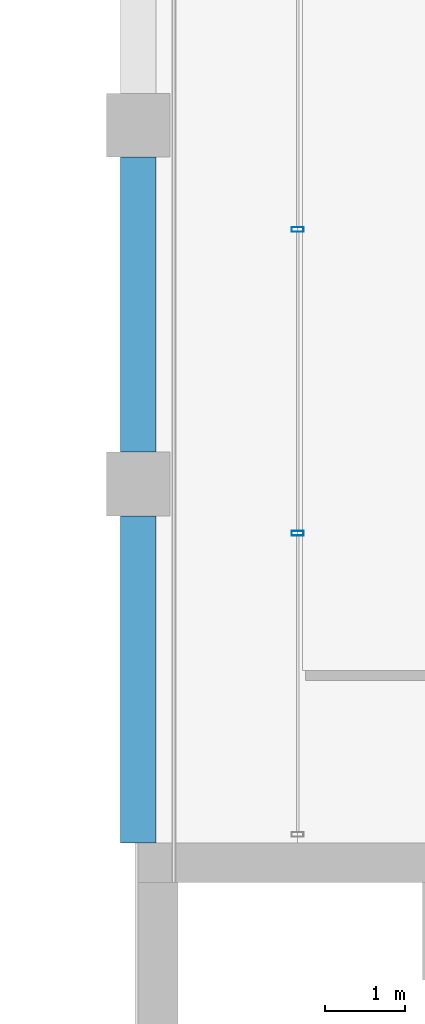
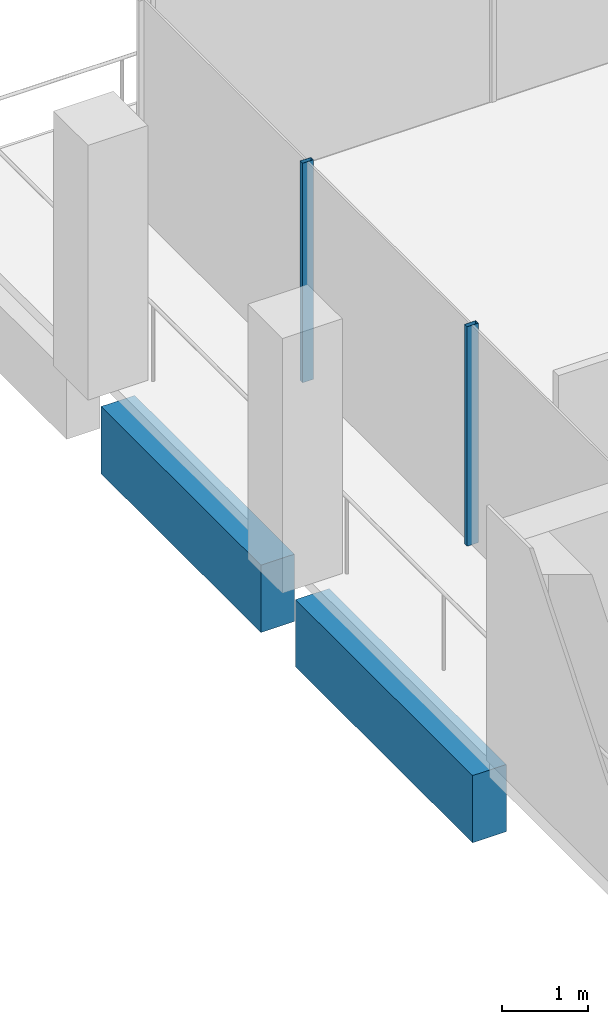
# One storey, part 20 of 30: 2 beams, 2 members, 1 element without a shape of its own.
"""IFC4 building model written with IfcOpenShell, lengths in metres."""

import ifcopenshell
import ifcopenshell.guid

model = None  # the IFC model being written
_history = None  # IfcOwnerHistory: only IFC2X3 demands one
_inside = {}  # id of a spatial element -> (the spatial element, [elements in it])
_under = {}  # id of a project, library or spatial element -> (it, [spatial elements below it])
_declared = {}  # id of a project -> (the project, [libraries it declares])
_typed = {}  # id of a type object -> (the type object, [elements of that type])
_made_of = {}  # id of a material, layer set ... -> (it, [elements and type objects made of it])


def new_model(schema):
    """Start an empty IFC model of exactly this schema.

    Asked for "IFC4X3", IfcOpenShell would pick the latest addendum, in which some entities
    have other attributes; the version numbers below select the first issue.
    IFC2X3 requires an IfcOwnerHistory on every rooted entity: one is made here for all.
    """
    global model, _history
    if schema == "IFC4X3":
        model = ifcopenshell.file(schema_version=(4, 3, 0, 0))
    else:
        model = ifcopenshell.file(schema=schema)
    _inside.clear()
    _under.clear()
    _declared.clear()
    _typed.clear()
    _made_of.clear()
    _history = None
    if model.schema == "IFC2X3":
        org = make("IfcOrganization", Name="unknown")
        user = make(
            "IfcPersonAndOrganization",
            ThePerson=make("IfcPerson", FamilyName="unknown"),
            TheOrganization=org,
        )
        app = make(
            "IfcApplication",
            ApplicationDeveloper=org,
            Version="unknown",
            ApplicationFullName="unknown",
            ApplicationIdentifier="unknown",
        )
        _history = make(
            "IfcOwnerHistory",
            OwningUser=user,
            OwningApplication=app,
            ChangeAction="ADDED",
            CreationDate=0,
        )
    return model


def make(cls, **values):
    """One entity of the class cls with the attributes given. An attribute that is None is left unset."""
    return model.create_entity(
        cls, **{name: value for name, value in values.items() if value is not None}
    )


def rooted(cls, **values):
    """An entity with a GlobalId (a new one), such as an element, a storey or a relation."""
    return make(cls, GlobalId=ifcopenshell.guid.new(), OwnerHistory=_history, **values)


def si_unit(unit_type, name, prefix=None):
    """IfcSIUnit, for example si_unit("LENGTHUNIT", "METRE", prefix="MILLI")."""
    return make("IfcSIUnit", UnitType=unit_type, Prefix=prefix, Name=name)


def assignment(units):
    """IfcUnitAssignment: the units of a project."""
    return None if units is None else make("IfcUnitAssignment", Units=units)


def point(xyz):
    """IfcCartesianPoint."""
    return None if xyz is None else make("IfcCartesianPoint", Coordinates=xyz)


def direction(xyz):
    """IfcDirection."""
    return None if xyz is None else make("IfcDirection", DirectionRatios=xyz)


def frame(location, z_axis=None, x_axis=None):
    """IfcAxis2Placement3D, a coordinate frame: its origin and axes. An axis left out is left unset."""
    return make(
        "IfcAxis2Placement3D",
        Location=point(location),
        Axis=direction(z_axis),
        RefDirection=direction(x_axis),
    )


def frame_2d(location, x_axis=None):
    """IfcAxis2Placement2D, a coordinate frame in the plane: its origin and x axis."""
    return make(
        "IfcAxis2Placement2D", Location=point(location), RefDirection=direction(x_axis)
    )


def origin():
    """The frame at (0, 0, 0) with its axes left unset."""
    return frame((0.0, 0.0, 0.0))


def origin_2d():
    """The frame at (0, 0) in the plane with its x axis left unset."""
    return frame_2d((0.0, 0.0))


def place(relative_to, where):
    """IfcLocalPlacement: puts the frame where relative to a parent placement (None: the world)."""
    return make(
        "IfcLocalPlacement", PlacementRelTo=relative_to, RelativePlacement=where
    )


def context(
    kind, dimensions, precision=None, world=None, true_north=None, identifier=None
):
    """IfcGeometricRepresentationContext, for example the 3D "Model" context."""
    return make(
        "IfcGeometricRepresentationContext",
        ContextIdentifier=identifier,
        ContextType=kind,
        CoordinateSpaceDimension=dimensions,
        Precision=precision,
        WorldCoordinateSystem=world,
        TrueNorth=true_north,
    )


def subcontext(parent, identifier, kind, view, scale=None):
    """IfcGeometricRepresentationSubContext, for example "Body" below "Model"."""
    return make(
        "IfcGeometricRepresentationSubContext",
        ContextIdentifier=identifier,
        ContextType=kind,
        ParentContext=parent,
        TargetScale=scale,
        TargetView=view,
    )


def project(units=None, contexts=None):
    """IfcProject with its units and contexts."""
    return rooted(
        "IfcProject",
        Name="project",
        RepresentationContexts=contexts,
        UnitsInContext=assignment(units),
    )


def spatial(cls, under=None, at=None, **own):
    """A site, building, storey or space (cls), placed at a placement, below another one or the project."""
    s = rooted(cls, ObjectPlacement=at, **own)
    if under is not None:
        _under.setdefault(under.id(), (under, []))[1].append(s)
    return s


def profile(cls, at=None, kind="AREA", **sizes):
    """A parametric profile (cls). Its sizes go by their IFC names, for example OverallWidth=200.0."""
    return make(cls, ProfileType=kind, Position=at, **sizes)


def rectangle(**sizes):
    """IfcRectangleProfileDef."""
    return profile("IfcRectangleProfileDef", **sizes)


def hollow_rectangle(**sizes):
    """IfcRectangleHollowProfileDef."""
    return profile("IfcRectangleHollowProfileDef", **sizes)


def extrude(swept, where, along, depth):
    """IfcExtrudedAreaSolid: the profile swept, set in the frame where, extruded along a direction by depth."""
    return make(
        "IfcExtrudedAreaSolid",
        SweptArea=swept,
        Position=where,
        ExtrudedDirection=direction(along),
        Depth=depth,
    )


def shape(context_of_items, identifier, shape_type, items):
    """IfcShapeRepresentation: the items that make up one representation, for example the "Body"."""
    return make(
        "IfcShapeRepresentation",
        ContextOfItems=context_of_items,
        RepresentationIdentifier=identifier,
        RepresentationType=shape_type,
        Items=items,
    )


def material(Name=None, Category=None):
    """IfcMaterial."""
    return make("IfcMaterial", Name=Name, Category=Category)


def material_profile(
    of_material, cross_section, Name=None, Category=None, Priority=None
):
    """IfcMaterialProfile: a cross section and its material."""
    return make(
        "IfcMaterialProfile",
        Name=Name,
        Material=of_material,
        Profile=cross_section,
        Priority=Priority,
        Category=Category,
    )


def profile_set(profiles, Name=None, composite=None):
    """IfcMaterialProfileSet."""
    return make(
        "IfcMaterialProfileSet",
        Name=Name,
        MaterialProfiles=profiles,
        CompositeProfile=composite,
    )


def made_of(thing, what):
    """Note that an element or type object is made of a material, layer set ...; save() writes the relation."""
    if what is not None:
        _made_of.setdefault(what.id(), (what, []))[1].append(thing)
    return thing


def type_object(cls, material=None, **own):
    """A type object (cls), such as IfcWallType, which elements share."""
    return made_of(rooted(cls, **own), material)


def element(
    cls,
    number,
    at=None,
    inside=None,
    cuts=None,
    type_object=None,
    material=None,
    context=None,
    identifier="Body",
    shape_type=None,
    held_by="IfcProductDefinitionShape",
    body=None,
    shapes=None,
    **own,
):
    """One element of the class cls, such as IfcWall. Its Tag is "e" and its number.

    at: its placement. inside: the storey or other place that contains it. cuts: it is an
    opening in that element (IfcRelVoidsElement). A single representation is given by context,
    identifier, shape_type and body (its items); several are given by shapes. held_by: the class
    of the entity that holds the representations. save() writes the other relations.
    """
    e = rooted(cls, Tag="e%d" % number, ObjectPlacement=at, **own)
    if body is not None:
        shapes = [shape(context, identifier, shape_type, body)]
    if shapes is not None:
        e.Representation = make(held_by, Representations=shapes)
    if inside is not None:
        _inside.setdefault(inside.id(), (inside, []))[1].append(e)
    if cuts is not None:
        rooted(
            "IfcRelVoidsElement", RelatingBuildingElement=cuts, RelatedOpeningElement=e
        )
    if type_object is not None:
        _typed.setdefault(type_object.id(), (type_object, []))[1].append(e)
    return made_of(e, material)


def aggregate(whole, parts):
    """IfcRelAggregates: a whole, such as a stair, and the parts it consists of."""
    return rooted("IfcRelAggregates", RelatingObject=whole, RelatedObjects=parts)


def save(model, path):
    """Write the relations noted so far, then the file.

    IfcRelAggregates (storeys below a building ...), IfcRelContainedInSpatialStructure (elements
    in a storey), IfcRelDefinesByType, IfcRelAssociatesMaterial and IfcRelDeclares: one each for
    every whole, place, type object, material and project.
    """
    for whole, parts in _under.values():
        aggregate(whole, parts)
    for where, things in _inside.values():
        rooted(
            "IfcRelContainedInSpatialStructure",
            RelatedElements=things,
            RelatingStructure=where,
        )
    for kind, things in _typed.values():
        rooted("IfcRelDefinesByType", RelatedObjects=things, RelatingType=kind)
    for what, things in _made_of.values():
        rooted("IfcRelAssociatesMaterial", RelatedObjects=things, RelatingMaterial=what)
    for by, libraries in _declared.values():
        rooted("IfcRelDeclares", RelatingContext=by, RelatedDefinitions=libraries)
    model.write(path)


model = new_model("IFC4")

# Units and contexts
model_context = context("Model", 3, precision=1e-05, world=origin(), true_north=direction((0.0, 1.0)))
body_context = subcontext(model_context, "Body", "Model", "MODEL_VIEW")
ifc_project = project(units=[si_unit("LENGTHUNIT", "METRE"), si_unit("AREAUNIT", "SQUARE_METRE"), si_unit("VOLUMEUNIT", "CUBIC_METRE"), si_unit("PLANEANGLEUNIT", "RADIAN"), si_unit("MASSUNIT", "GRAM", prefix="KILO")], contexts=[model_context])

# Site, building, storey
site_placement = place(None, origin())
site = spatial("IfcSite", under=ifc_project, at=site_placement, CompositionType="ELEMENT")
building_placement = place(site_placement, origin())
building = spatial("IfcBuilding", under=site, at=building_placement, Name="Altepetl Exchange Towers", CompositionType="ELEMENT")
storey_placement = place(building_placement, frame((0.0, 0.0, 238.800048828125)))
storey = spatial("IfcBuildingStorey", under=building, at=storey_placement, Name="L61", CompositionType="ELEMENT", Elevation=238.800048828125)

# Curtain wall, members
ifc_material_1 = material(Name="Aluminium 6063-T6 glazing", Category="aluminium")
curtain_wall_type = type_object("IfcCurtainWallType", Name="Loggia glazing system", PredefinedType="NOTDEFINED", material=ifc_material_1)
curtain_wall_placement = place(storey_placement, origin())
curtain_wall = element("IfcCurtainWall", 1, at=curtain_wall_placement, inside=storey, type_object=curtain_wall_type, Name="CW1 run", PredefinedType="NOTDEFINED")
ifc_material_2 = material(Name="Aluminium 6063-T6", Category="aluminium")
ifc_material_profile_1 = material_profile(ifc_material_2, hollow_rectangle(XDim=0.06005859375, YDim=0.14990234375, WallThickness=0.0029296875, at=origin_2d()), Name="Mullion 60x150 aluminium")
ifc_profile_set_1 = profile_set([ifc_material_profile_1], Name="Aluminium 6063-T6")
member_type = type_object("IfcMemberType", Name="Mullion 60x150 aluminium", PredefinedType="MULLION", material=ifc_profile_set_1)
member_1_placement = place(storey_placement, frame((42.5, 66.191650390625, 0.0), z_axis=(0.0, 0.0, 1.0), x_axis=(0.0, -1.0, 0.0)))
member_1 = element("IfcMember", 2, at=member_1_placement, type_object=member_type, Name="MU1 mullion", PredefinedType="MULLION", context=body_context, shape_type="SweptSolid", body=[
    extrude(hollow_rectangle(XDim=0.06005859375, YDim=0.14990234375, WallThickness=0.0029296875, at=origin_2d()), origin(), (0.0, 0.0, 1.0), 3.099853515625),
])
member_2_placement = place(storey_placement, frame((42.5, 62.38330078125, 0.0), z_axis=(0.0, 0.0, 1.0), x_axis=(0.0, -1.0, 0.0)))
member_2 = element("IfcMember", 3, at=member_2_placement, type_object=member_type, Name="MU1 mullion", PredefinedType="MULLION", context=body_context, shape_type="SweptSolid", body=[
    extrude(hollow_rectangle(XDim=0.06005859375, YDim=0.14990234375, WallThickness=0.0029296875, at=origin_2d()), origin(), (0.0, 0.0, 1.0), 3.099853515625),
])
aggregate(curtain_wall, [member_1, member_2])

# Beams
ifc_material_3 = material(Name="Concrete C50/60 precast with tezontle facing", Category="concrete")
ifc_material_profile_2 = material_profile(ifc_material_3, rectangle(XDim=0.449951171875, YDim=0.949951171875, at=origin_2d()), Name="450 x 950")
ifc_profile_set_2 = profile_set([ifc_material_profile_2], Name="Concrete C50/60 precast with tezontle facing")
beam_type = type_object("IfcBeamType", Name="Spandrel beam 450x950 tezontle", PredefinedType="SPANDREL", material=ifc_profile_set_2)
beam_1_placement = place(storey_placement, frame((40.5, 67.10009765625, -0.625), z_axis=(0.0, -1.0, 0.0), x_axis=(1.0, 0.0, 0.0)))
element("IfcBeam", 4, at=beam_1_placement, inside=storey, type_object=beam_type, Name="sp:A:L61:031", PredefinedType="SPANDREL", context=body_context, shape_type="SweptSolid", body=[
    extrude(rectangle(XDim=0.449951171875, YDim=0.949951171875, at=origin_2d()), origin(), (0.0, 0.0, 1.0), 3.7001953125),
])
beam_2_placement = place(storey_placement, frame((40.5, 62.60009765625, -0.625), z_axis=(0.0, -1.0, 0.0), x_axis=(1.0, 0.0, 0.0)))
element("IfcBeam", 5, at=beam_2_placement, inside=storey, type_object=beam_type, Name="sp:A:L61:032", PredefinedType="SPANDREL", context=body_context, shape_type="SweptSolid", body=[
    extrude(rectangle(XDim=0.449951171875, YDim=0.949951171875, at=origin_2d()), origin(), (0.0, 0.0, 1.0), 4.10009765625),
])

save(model, "model.ifc")
